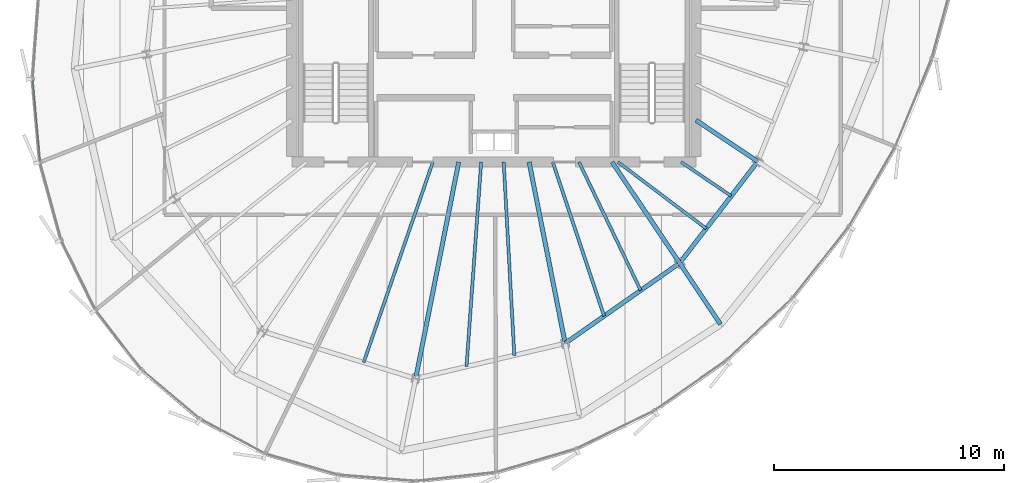
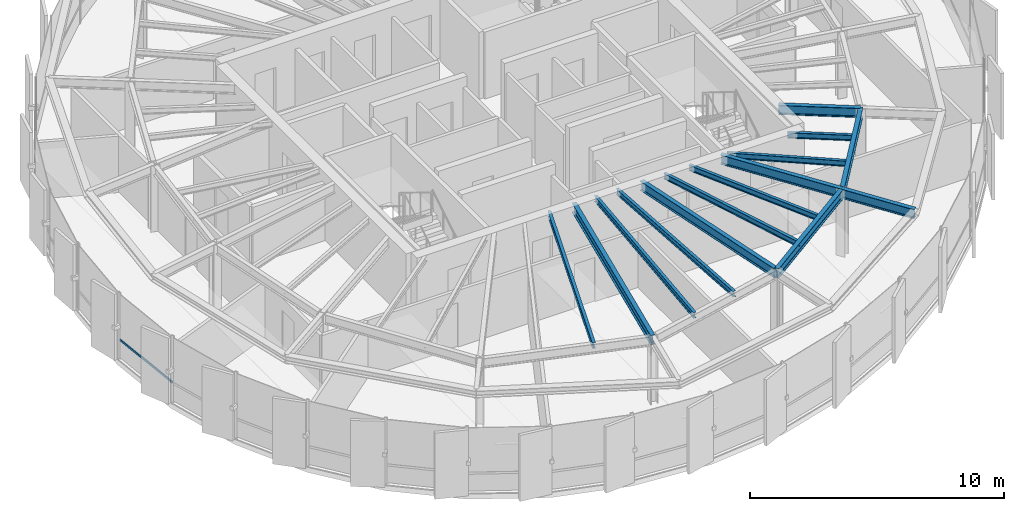
# One storey, part 8 of 34: 14 beams, 1 member, 1 element without a shape of its own.
"""IFC4 building model written with IfcOpenShell, lengths in metres."""

import ifcopenshell
import ifcopenshell.guid

model = None  # the IFC model being written
_history = None  # IfcOwnerHistory: only IFC2X3 demands one
_inside = {}  # id of a spatial element -> (the spatial element, [elements in it])
_under = {}  # id of a project, library or spatial element -> (it, [spatial elements below it])
_declared = {}  # id of a project -> (the project, [libraries it declares])
_typed = {}  # id of a type object -> (the type object, [elements of that type])
_made_of = {}  # id of a material, layer set ... -> (it, [elements and type objects made of it])


def new_model(schema):
    """Start an empty IFC model of exactly this schema.

    Asked for "IFC4X3", IfcOpenShell would pick the latest addendum, in which some entities
    have other attributes; the version numbers below select the first issue.
    IFC2X3 requires an IfcOwnerHistory on every rooted entity: one is made here for all.
    """
    global model, _history
    if schema == "IFC4X3":
        model = ifcopenshell.file(schema_version=(4, 3, 0, 0))
    else:
        model = ifcopenshell.file(schema=schema)
    _inside.clear()
    _under.clear()
    _declared.clear()
    _typed.clear()
    _made_of.clear()
    _history = None
    if model.schema == "IFC2X3":
        org = make("IfcOrganization", Name="unknown")
        user = make(
            "IfcPersonAndOrganization",
            ThePerson=make("IfcPerson", FamilyName="unknown"),
            TheOrganization=org,
        )
        app = make(
            "IfcApplication",
            ApplicationDeveloper=org,
            Version="unknown",
            ApplicationFullName="unknown",
            ApplicationIdentifier="unknown",
        )
        _history = make(
            "IfcOwnerHistory",
            OwningUser=user,
            OwningApplication=app,
            ChangeAction="ADDED",
            CreationDate=0,
        )
    return model


def make(cls, **values):
    """One entity of the class cls with the attributes given. An attribute that is None is left unset."""
    return model.create_entity(
        cls, **{name: value for name, value in values.items() if value is not None}
    )


def rooted(cls, **values):
    """An entity with a GlobalId (a new one), such as an element, a storey or a relation."""
    return make(cls, GlobalId=ifcopenshell.guid.new(), OwnerHistory=_history, **values)


def si_unit(unit_type, name, prefix=None):
    """IfcSIUnit, for example si_unit("LENGTHUNIT", "METRE", prefix="MILLI")."""
    return make("IfcSIUnit", UnitType=unit_type, Prefix=prefix, Name=name)


def assignment(units):
    """IfcUnitAssignment: the units of a project."""
    return None if units is None else make("IfcUnitAssignment", Units=units)


def point(xyz):
    """IfcCartesianPoint."""
    return None if xyz is None else make("IfcCartesianPoint", Coordinates=xyz)


def direction(xyz):
    """IfcDirection."""
    return None if xyz is None else make("IfcDirection", DirectionRatios=xyz)


def frame(location, z_axis=None, x_axis=None):
    """IfcAxis2Placement3D, a coordinate frame: its origin and axes. An axis left out is left unset."""
    return make(
        "IfcAxis2Placement3D",
        Location=point(location),
        Axis=direction(z_axis),
        RefDirection=direction(x_axis),
    )


def frame_2d(location, x_axis=None):
    """IfcAxis2Placement2D, a coordinate frame in the plane: its origin and x axis."""
    return make(
        "IfcAxis2Placement2D", Location=point(location), RefDirection=direction(x_axis)
    )


def origin():
    """The frame at (0, 0, 0) with its axes left unset."""
    return frame((0.0, 0.0, 0.0))


def origin_2d():
    """The frame at (0, 0) in the plane with its x axis left unset."""
    return frame_2d((0.0, 0.0))


def place(relative_to, where):
    """IfcLocalPlacement: puts the frame where relative to a parent placement (None: the world)."""
    return make(
        "IfcLocalPlacement", PlacementRelTo=relative_to, RelativePlacement=where
    )


def context(
    kind, dimensions, precision=None, world=None, true_north=None, identifier=None
):
    """IfcGeometricRepresentationContext, for example the 3D "Model" context."""
    return make(
        "IfcGeometricRepresentationContext",
        ContextIdentifier=identifier,
        ContextType=kind,
        CoordinateSpaceDimension=dimensions,
        Precision=precision,
        WorldCoordinateSystem=world,
        TrueNorth=true_north,
    )


def subcontext(parent, identifier, kind, view, scale=None):
    """IfcGeometricRepresentationSubContext, for example "Body" below "Model"."""
    return make(
        "IfcGeometricRepresentationSubContext",
        ContextIdentifier=identifier,
        ContextType=kind,
        ParentContext=parent,
        TargetScale=scale,
        TargetView=view,
    )


def project(units=None, contexts=None):
    """IfcProject with its units and contexts."""
    return rooted(
        "IfcProject",
        Name="project",
        RepresentationContexts=contexts,
        UnitsInContext=assignment(units),
    )


def spatial(cls, under=None, at=None, **own):
    """A site, building, storey or space (cls), placed at a placement, below another one or the project."""
    s = rooted(cls, ObjectPlacement=at, **own)
    if under is not None:
        _under.setdefault(under.id(), (under, []))[1].append(s)
    return s


def profile(cls, at=None, kind="AREA", **sizes):
    """A parametric profile (cls). Its sizes go by their IFC names, for example OverallWidth=200.0."""
    return make(cls, ProfileType=kind, Position=at, **sizes)


def hollow_rectangle(**sizes):
    """IfcRectangleHollowProfileDef."""
    return profile("IfcRectangleHollowProfileDef", **sizes)


def i_section(**sizes):
    """IfcIShapeProfileDef."""
    return profile("IfcIShapeProfileDef", **sizes)


def extrude(swept, where, along, depth):
    """IfcExtrudedAreaSolid: the profile swept, set in the frame where, extruded along a direction by depth."""
    return make(
        "IfcExtrudedAreaSolid",
        SweptArea=swept,
        Position=where,
        ExtrudedDirection=direction(along),
        Depth=depth,
    )


def shape(context_of_items, identifier, shape_type, items):
    """IfcShapeRepresentation: the items that make up one representation, for example the "Body"."""
    return make(
        "IfcShapeRepresentation",
        ContextOfItems=context_of_items,
        RepresentationIdentifier=identifier,
        RepresentationType=shape_type,
        Items=items,
    )


def source(mapping_origin, context_of_items, identifier, shape_type, items):
    """IfcRepresentationMap: a shape defined once, which mapped items show again and again."""
    return make(
        "IfcRepresentationMap",
        MappingOrigin=mapping_origin,
        MappedRepresentation=shape(context_of_items, identifier, shape_type, items),
    )


def transform(
    local_origin,
    x_axis=None,
    y_axis=None,
    z_axis=None,
    scale=None,
    scale2=None,
    scale3=None,
    uniform=True,
):
    """IfcCartesianTransformationOperator3D, or its non-uniform kind. x_axis, y_axis, z_axis: its Axis1, 2, 3."""
    if uniform:
        return make(
            "IfcCartesianTransformationOperator3D",
            Axis1=direction(x_axis),
            Axis2=direction(y_axis),
            LocalOrigin=point(local_origin),
            Scale=scale,
            Axis3=direction(z_axis),
        )
    return make(
        "IfcCartesianTransformationOperator3DnonUniform",
        Axis1=direction(x_axis),
        Axis2=direction(y_axis),
        LocalOrigin=point(local_origin),
        Scale=scale,
        Axis3=direction(z_axis),
        Scale2=scale2,
        Scale3=scale3,
    )


def mapped(mapping_source, mapping_target):
    """IfcMappedItem: shows the shape of a source again, moved by a transform."""
    return make(
        "IfcMappedItem", MappingSource=mapping_source, MappingTarget=mapping_target
    )


def material(Name=None, Category=None):
    """IfcMaterial."""
    return make("IfcMaterial", Name=Name, Category=Category)


def layer(
    of_material, thickness, ventilated=None, Name=None, Category=None, Priority=None
):
    """IfcMaterialLayer: one layer of a wall or slab, of a material (None: an air gap)."""
    return make(
        "IfcMaterialLayer",
        Material=of_material,
        LayerThickness=thickness,
        IsVentilated=ventilated,
        Name=Name,
        Category=Category,
        Priority=Priority,
    )


def layer_set(layers, Name=None):
    """IfcMaterialLayerSet."""
    return make("IfcMaterialLayerSet", MaterialLayers=layers, LayerSetName=Name)


def material_profile(
    of_material, cross_section, Name=None, Category=None, Priority=None
):
    """IfcMaterialProfile: a cross section and its material."""
    return make(
        "IfcMaterialProfile",
        Name=Name,
        Material=of_material,
        Profile=cross_section,
        Priority=Priority,
        Category=Category,
    )


def profile_set(profiles, Name=None, composite=None):
    """IfcMaterialProfileSet."""
    return make(
        "IfcMaterialProfileSet",
        Name=Name,
        MaterialProfiles=profiles,
        CompositeProfile=composite,
    )


def made_of(thing, what):
    """Note that an element or type object is made of a material, layer set ...; save() writes the relation."""
    if what is not None:
        _made_of.setdefault(what.id(), (what, []))[1].append(thing)
    return thing


def type_object(cls, material=None, **own):
    """A type object (cls), such as IfcWallType, which elements share."""
    return made_of(rooted(cls, **own), material)


def element(
    cls,
    number,
    at=None,
    inside=None,
    cuts=None,
    type_object=None,
    material=None,
    context=None,
    identifier="Body",
    shape_type=None,
    held_by="IfcProductDefinitionShape",
    body=None,
    shapes=None,
    **own,
):
    """One element of the class cls, such as IfcWall. Its Tag is "e" and its number.

    at: its placement. inside: the storey or other place that contains it. cuts: it is an
    opening in that element (IfcRelVoidsElement). A single representation is given by context,
    identifier, shape_type and body (its items); several are given by shapes. held_by: the class
    of the entity that holds the representations. save() writes the other relations.
    """
    e = rooted(cls, Tag="e%d" % number, ObjectPlacement=at, **own)
    if body is not None:
        shapes = [shape(context, identifier, shape_type, body)]
    if shapes is not None:
        e.Representation = make(held_by, Representations=shapes)
    if inside is not None:
        _inside.setdefault(inside.id(), (inside, []))[1].append(e)
    if cuts is not None:
        rooted(
            "IfcRelVoidsElement", RelatingBuildingElement=cuts, RelatedOpeningElement=e
        )
    if type_object is not None:
        _typed.setdefault(type_object.id(), (type_object, []))[1].append(e)
    return made_of(e, material)


def aggregate(whole, parts):
    """IfcRelAggregates: a whole, such as a stair, and the parts it consists of."""
    return rooted("IfcRelAggregates", RelatingObject=whole, RelatedObjects=parts)


def save(model, path):
    """Write the relations noted so far, then the file.

    IfcRelAggregates (storeys below a building ...), IfcRelContainedInSpatialStructure (elements
    in a storey), IfcRelDefinesByType, IfcRelAssociatesMaterial and IfcRelDeclares: one each for
    every whole, place, type object, material and project.
    """
    for whole, parts in _under.values():
        aggregate(whole, parts)
    for where, things in _inside.values():
        rooted(
            "IfcRelContainedInSpatialStructure",
            RelatedElements=things,
            RelatingStructure=where,
        )
    for kind, things in _typed.values():
        rooted("IfcRelDefinesByType", RelatedObjects=things, RelatingType=kind)
    for what, things in _made_of.values():
        rooted("IfcRelAssociatesMaterial", RelatedObjects=things, RelatingMaterial=what)
    for by, libraries in _declared.values():
        rooted("IfcRelDeclares", RelatingContext=by, RelatedDefinitions=libraries)
    model.write(path)


model = new_model("IFC4")

# Units and contexts
model_context = context("Model", 3, precision=1e-05, world=origin(), true_north=direction((0.0, 1.0)))
body_context = subcontext(model_context, "Body", "Model", "MODEL_VIEW")
ifc_project = project(units=[si_unit("LENGTHUNIT", "METRE"), si_unit("AREAUNIT", "SQUARE_METRE"), si_unit("VOLUMEUNIT", "CUBIC_METRE"), si_unit("PLANEANGLEUNIT", "RADIAN"), si_unit("MASSUNIT", "GRAM", prefix="KILO"), si_unit("THERMODYNAMICTEMPERATUREUNIT", "KELVIN")], contexts=[model_context])

# Site, building, storey
site_placement = place(None, origin())
site = spatial("IfcSite", under=ifc_project, at=site_placement, CompositionType="ELEMENT")
building_placement = place(site_placement, origin())
building = spatial("IfcBuilding", under=site, at=building_placement, Name="Kethvar Cultural Tower", CompositionType="ELEMENT")
storey_placement = place(building_placement, frame((0.0, 0.0, 259.449951171875)))
storey = spatial("IfcBuildingStorey", under=building, at=storey_placement, Name="L68", CompositionType="ELEMENT", Elevation=259.449951171875)

# Beams
ifc_material_1 = material(Name="Steel S355J2", Category="steel")
ifc_material_profile_1 = material_profile(ifc_material_1, i_section(OverallWidth=0.18994140625, OverallDepth=0.449951171875, WebThickness=0.009521484375, FlangeThickness=0.0146484375, FilletRadius=0.02099609375, at=origin_2d()), Name="Steel S355J2 — IPE450")
ifc_profile_set_1 = profile_set([ifc_material_profile_1], Name="Steel S355J2 — IPE450")
beam_type_1 = type_object("IfcBeamType", Name="BM-IPE450", PredefinedType="BEAM", material=ifc_profile_set_1)
shared_shape_1 = source(origin(), body_context, "Body", "SweptSolid", [
    extrude(i_section(OverallWidth=0.18994140625, OverallDepth=0.449951171875, WebThickness=0.009521484375, FlangeThickness=0.0146484375, FilletRadius=0.02099609375, at=origin_2d()), origin(), (0.0, 0.0, 1.0), 3.199951171875),
])
beam_1_placement = place(storey_placement, frame((54.885009765625, 15.7001953125, 2.983154296875), z_axis=(0.555492222339, -0.83152173208, 0.0), x_axis=(0.83152173208, 0.555492222339, 0.0)))
element("IfcBeam", 1, at=beam_1_placement, inside=storey, type_object=beam_type_1, Name="L68 Perimeter Cantilever Beam RC-14", PredefinedType="BEAM", context=body_context, shape_type="MappedRepresentation", body=[
    mapped(shared_shape_1, transform((0.0, 0.0, 0.0), scale=1.0)),
])
shared_shape_2 = source(origin(), body_context, "Body", "SweptSolid", [
    extrude(i_section(OverallWidth=0.18994140625, OverallDepth=0.449951171875, WebThickness=0.009521484375, FlangeThickness=0.0146484375, FilletRadius=0.02099609375, at=origin_2d()), origin(), (0.0, 0.0, 1.0), 9.613525390625),
])
beam_2_placement = place(storey_placement, frame((45.268310546875, 20.10009765625, 2.983154296875), z_axis=(-0.195090428816, -0.980785259159, 0.0), x_axis=(0.980785259159, -0.195090428816, 0.0)))
element("IfcBeam", 2, at=beam_2_placement, inside=storey, type_object=beam_type_1, Name="L68 Primary Radial Beam RB-12", PredefinedType="BEAM", context=body_context, shape_type="MappedRepresentation", body=[
    mapped(shared_shape_2, transform((0.0, 0.0, 0.0), scale=1.0)),
])
shared_shape_3 = source(origin(), body_context, "Body", "SweptSolid", [
    extrude(i_section(OverallWidth=0.18994140625, OverallDepth=0.449951171875, WebThickness=0.009521484375, FlangeThickness=0.0146484375, FilletRadius=0.02099609375, at=origin_2d()), origin(), (0.0, 0.0, 1.0), 8.0478515625),
])
beam_3_placement = place(storey_placement, frame((48.33154296875, 20.10009765625, 2.983154296875), z_axis=(0.195089278796, -0.980785487912, 0.0), x_axis=(0.980785487912, 0.195089278796, 0.0)))
element("IfcBeam", 3, at=beam_3_placement, inside=storey, type_object=beam_type_1, Name="L68 Primary Radial Beam RB-13", PredefinedType="BEAM", context=body_context, shape_type="MappedRepresentation", body=[
    mapped(shared_shape_3, transform((0.0, 0.0, 0.0), scale=1.0)),
])
shared_shape_4 = source(origin(), body_context, "Body", "SweptSolid", [
    extrude(i_section(OverallWidth=0.18994140625, OverallDepth=0.449951171875, WebThickness=0.009521484375, FlangeThickness=0.0146484375, FilletRadius=0.02099609375, at=origin_2d()), origin(), (0.0, 0.0, 1.0), 5.291748046875),
])
beam_4_placement = place(storey_placement, frame((51.945068359375, 20.10009765625, 2.983154296875), z_axis=(0.555572931011, -0.831467809556, 0.0), x_axis=(0.831467809556, 0.555572931011, 0.0)))
element("IfcBeam", 4, at=beam_4_placement, inside=storey, type_object=beam_type_1, Name="L68 Primary Radial Beam RB-14", PredefinedType="BEAM", context=body_context, shape_type="MappedRepresentation", body=[
    mapped(shared_shape_4, transform((0.0, 0.0, 0.0), scale=1.0)),
])
shared_shape_5 = source(origin(), body_context, "Body", "SweptSolid", [
    extrude(i_section(OverallWidth=0.18994140625, OverallDepth=0.449951171875, WebThickness=0.009521484375, FlangeThickness=0.0146484375, FilletRadius=0.02099609375, at=origin_2d()), origin(), (0.0, 0.0, 1.0), 3.231689453125),
])
beam_5_placement = place(storey_placement, frame((55.60009765625, 21.919921875, 2.983154296875), z_axis=(0.831468708055, -0.55557158632, 0.0), x_axis=(0.55557158632, 0.831468708055, 0.0)))
element("IfcBeam", 5, at=beam_5_placement, inside=storey, type_object=beam_type_1, Name="L68 Primary Radial Beam RB-15", PredefinedType="BEAM", context=body_context, shape_type="MappedRepresentation", body=[
    mapped(shared_shape_5, transform((0.0, 0.0, 0.0), scale=1.0)),
])
ifc_material_profile_2 = material_profile(ifc_material_1, i_section(OverallWidth=0.135009765625, OverallDepth=0.27001953125, WebThickness=0.006591796875, FlangeThickness=0.01025390625, FilletRadius=0.014892578125, at=origin_2d()), Name="Steel S355J2 — IPE270")
ifc_profile_set_2 = profile_set([ifc_material_profile_2], Name="Steel S355J2 — IPE270")
beam_type_2 = type_object("IfcBeamType", Name="BM-J270", PredefinedType="JOIST", material=ifc_profile_set_2)
shared_shape_6 = source(origin(), body_context, "Body", "SweptSolid", [
    extrude(i_section(OverallWidth=0.135009765625, OverallDepth=0.27001953125, WebThickness=0.006591796875, FlangeThickness=0.01025390625, FilletRadius=0.014892578125, at=origin_2d()), origin(), (0.0, 0.0, 1.0), 9.234130859375),
])
beam_6_placement = place(storey_placement, frame((44.1416015625, 20.10009765625, 3.072998046875), z_axis=(-0.326362208058, -0.945244787953, 0.0), x_axis=(0.945244787953, -0.326362208058, 0.0)))
element("IfcBeam", 6, at=beam_6_placement, inside=storey, type_object=beam_type_2, Name="L68 Composite Floor Joist J-11B", PredefinedType="JOIST", context=body_context, shape_type="MappedRepresentation", body=[
    mapped(shared_shape_6, transform((0.0, 0.0, 0.0), scale=1.0)),
])
shared_shape_7 = source(origin(), body_context, "Body", "SweptSolid", [
    extrude(i_section(OverallWidth=0.135009765625, OverallDepth=0.27001953125, WebThickness=0.006591796875, FlangeThickness=0.01025390625, FilletRadius=0.014892578125, at=origin_2d()), origin(), (0.0, 0.0, 1.0), 8.9296875),
])
beam_7_placement = place(storey_placement, frame((46.246337890625, 20.10009765625, 3.072998046875), z_axis=(-0.071713352262, -0.99742528297, 0.0), x_axis=(0.99742528297, -0.071713352262, 0.0)))
element("IfcBeam", 7, at=beam_7_placement, inside=storey, type_object=beam_type_2, Name="L68 Composite Floor Joist J-12A", PredefinedType="JOIST", context=body_context, shape_type="MappedRepresentation", body=[
    mapped(shared_shape_7, transform((0.0, 0.0, 0.0), scale=1.0)),
])
shared_shape_8 = source(origin(), body_context, "Body", "SweptSolid", [
    extrude(i_section(OverallWidth=0.135009765625, OverallDepth=0.27001953125, WebThickness=0.006591796875, FlangeThickness=0.01025390625, FilletRadius=0.014892578125, at=origin_2d()), origin(), (0.0, 0.0, 1.0), 8.427978515625),
])
beam_8_placement = place(storey_placement, frame((47.224609375, 20.10009765625, 3.072998046875), z_axis=(0.055067321535, -0.998482643865, 0.0), x_axis=(0.998482643865, 0.055067321535, 0.0)))
element("IfcBeam", 8, at=beam_8_placement, inside=storey, type_object=beam_type_2, Name="L68 Composite Floor Joist J-12B", PredefinedType="JOIST", context=body_context, shape_type="MappedRepresentation", body=[
    mapped(shared_shape_8, transform((0.0, 0.0, 0.0), scale=1.0)),
])
shared_shape_9 = source(origin(), body_context, "Body", "SweptSolid", [
    extrude(i_section(OverallWidth=0.18994140625, OverallDepth=0.449951171875, WebThickness=0.009521484375, FlangeThickness=0.0146484375, FilletRadius=0.02099609375, at=origin_2d()), origin(), (0.0, 0.0, 1.0), 6.0859375),
])
beam_9_placement = place(storey_placement, frame((49.901611328125, 12.206787109375, 2.983154296875), z_axis=(0.818843498091, 0.57401683393, 0.0), x_axis=(-0.57401683393, 0.818843498091, 0.0)))
element("IfcBeam", 9, at=beam_9_placement, inside=storey, type_object=beam_type_1, Name="L68 Column Ring Tie Beam CR-13", PredefinedType="BEAM", context=body_context, shape_type="MappedRepresentation", body=[
    mapped(shared_shape_9, transform((0.0, 0.0, 0.0), scale=1.0)),
])
shared_shape_10 = source(origin(), body_context, "Body", "SweptSolid", [
    extrude(i_section(OverallWidth=0.135009765625, OverallDepth=0.27001953125, WebThickness=0.006591796875, FlangeThickness=0.01025390625, FilletRadius=0.014892578125, at=origin_2d()), origin(), (0.0, 0.0, 1.0), 7.0673828125),
])
beam_10_placement = place(storey_placement, frame((49.363525390625, 20.10009765625, 3.072998046875), z_axis=(0.315875389768, -0.948800684095, 0.0), x_axis=(0.948800684095, 0.315875389768, 0.0)))
element("IfcBeam", 10, at=beam_10_placement, inside=storey, type_object=beam_type_2, Name="L68 Composite Floor Joist J-13A", PredefinedType="JOIST", context=body_context, shape_type="MappedRepresentation", body=[
    mapped(shared_shape_10, transform((0.0, 0.0, 0.0), scale=1.0)),
])
shared_shape_11 = source(origin(), body_context, "Body", "SweptSolid", [
    extrude(i_section(OverallWidth=0.135009765625, OverallDepth=0.27001953125, WebThickness=0.006591796875, FlangeThickness=0.01025390625, FilletRadius=0.014892578125, at=origin_2d()), origin(), (0.0, 0.0, 1.0), 6.2001953125),
])
beam_11_placement = place(storey_placement, frame((50.50341796875, 20.10009765625, 3.072998046875), z_axis=(0.433410678328, -0.901196529017, 0.0), x_axis=(0.901196529017, 0.433410678328, 0.0)))
element("IfcBeam", 11, at=beam_11_placement, inside=storey, type_object=beam_type_2, Name="L68 Composite Floor Joist J-13B", PredefinedType="JOIST", context=body_context, shape_type="MappedRepresentation", body=[
    mapped(shared_shape_11, transform((0.0, 0.0, 0.0), scale=1.0)),
])
shared_shape_12 = source(origin(), body_context, "Body", "SweptSolid", [
    extrude(i_section(OverallWidth=0.18994140625, OverallDepth=0.449951171875, WebThickness=0.009521484375, FlangeThickness=0.0146484375, FilletRadius=0.02099609375, at=origin_2d()), origin(), (0.0, 0.0, 1.0), 5.5810546875),
])
beam_12_placement = place(storey_placement, frame((54.885009765625, 15.7001953125, 2.983154296875), z_axis=(0.60957334008, 0.79272967843, 0.0), x_axis=(-0.79272967843, 0.60957334008, 0.0)))
element("IfcBeam", 12, at=beam_12_placement, inside=storey, type_object=beam_type_1, Name="L68 Column Ring Tie Beam CR-14", PredefinedType="BEAM", context=body_context, shape_type="MappedRepresentation", body=[
    mapped(shared_shape_12, transform((0.0, 0.0, 0.0), scale=1.0)),
])
shared_shape_13 = source(origin(), body_context, "Body", "SweptSolid", [
    extrude(i_section(OverallWidth=0.135009765625, OverallDepth=0.27001953125, WebThickness=0.006591796875, FlangeThickness=0.01025390625, FilletRadius=0.014892578125, at=origin_2d()), origin(), (0.0, 0.0, 1.0), 4.810791015625),
])
beam_13_placement = place(storey_placement, frame((52.199951171875, 20.10009765625, 3.072998046875), z_axis=(0.798542152732, -0.601938892505, 0.0), x_axis=(0.601938892505, 0.798542152732, 0.0)))
element("IfcBeam", 13, at=beam_13_placement, inside=storey, type_object=beam_type_2, Name="L68 Composite Floor Joist J-14A", PredefinedType="JOIST", context=body_context, shape_type="MappedRepresentation", body=[
    mapped(shared_shape_13, transform((0.0, 0.0, 0.0), scale=1.0)),
])
shared_shape_14 = source(origin(), body_context, "Body", "SweptSolid", [
    extrude(i_section(OverallWidth=0.135009765625, OverallDepth=0.27001953125, WebThickness=0.006591796875, FlangeThickness=0.01025390625, FilletRadius=0.014892578125, at=origin_2d()), origin(), (0.0, 0.0, 1.0), 2.635009765625),
])
beam_14_placement = place(storey_placement, frame((54.949951171875, 20.10009765625, 3.072998046875), z_axis=(0.827446562598, -0.561544464887, 0.0), x_axis=(0.561544464887, 0.827446562598, 0.0)))
element("IfcBeam", 14, at=beam_14_placement, inside=storey, type_object=beam_type_2, Name="L68 Composite Floor Joist J-14B", PredefinedType="JOIST", context=body_context, shape_type="MappedRepresentation", body=[
    mapped(shared_shape_14, transform((0.0, 0.0, 0.0), scale=1.0)),
])

# Curtain wall, member
ifc_material_2 = material(Name="Aluminium 6063-T6", Category="aluminium")
ifc_layer = layer(ifc_material_2, 0.179931640625, Name="Aluminium 6063-T6", Category="aluminium")
ifc_layer_set = layer_set([ifc_layer], Name="Aluminium 6063-T6 (180 mm)")
curtain_wall_type = type_object("IfcCurtainWallType", Name="CW-SYS-05-Z56", PredefinedType="NOTDEFINED", material=ifc_layer_set)
curtain_wall_placement = place(storey_placement, origin())
curtain_wall = element("IfcCurtainWall", 15, at=curtain_wall_placement, inside=storey, type_object=curtain_wall_type, Name="L68 Curtain Wall Run 03", PredefinedType="NOTDEFINED")
ifc_material_profile_3 = material_profile(ifc_material_2, hollow_rectangle(XDim=0.050048828125, YDim=0.10009765625, WallThickness=0.00390625, at=origin_2d()), Name="Aluminium 6063-T6 — RHS100x50x4")
ifc_profile_set_3 = profile_set([ifc_material_profile_3], Name="Aluminium 6063-T6 — RHS100x50x4")
member_type = type_object("IfcMemberType", Name="CW-SYS-05-Z56-TRN", PredefinedType="USERDEFINED", material=ifc_profile_set_3)
shared_shape_15 = source(origin(), body_context, "Body", "SweptSolid", [
    extrude(hollow_rectangle(XDim=0.050048828125, YDim=0.10009765625, WallThickness=0.00390625, at=origin_2d()), origin(), (0.0, 0.0, 1.0), 3.57275390625),
])
member_placement = place(storey_placement, frame((26.72412109375, 23.676025390625, 0.949951171875), z_axis=(0.089586860113, -0.99597901308, 0.0), x_axis=(0.99597901308, 0.089586860113, 0.0)))
member = element("IfcMember", 16, at=member_placement, type_object=member_type, Name="CW-L68-R03 Transom 2", ObjectType="TRANSOM", PredefinedType="USERDEFINED", context=body_context, shape_type="MappedRepresentation", body=[
    mapped(shared_shape_15, transform((0.0, 0.0, 0.0), scale=1.0)),
])
aggregate(curtain_wall, [member])

save(model, "model.ifc")
